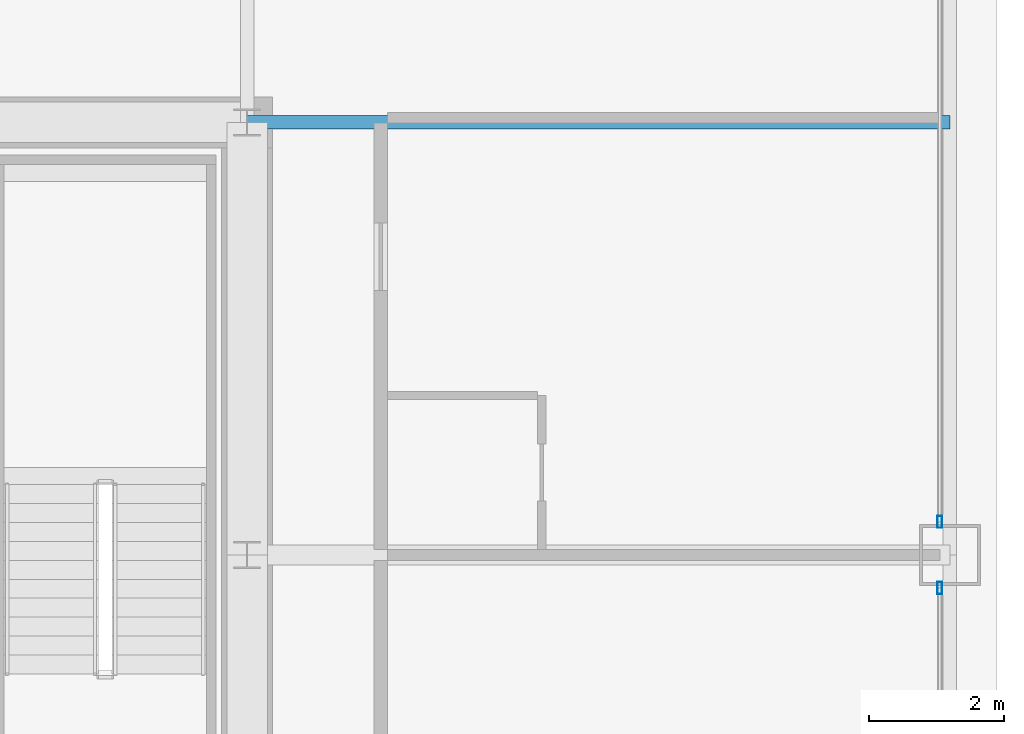
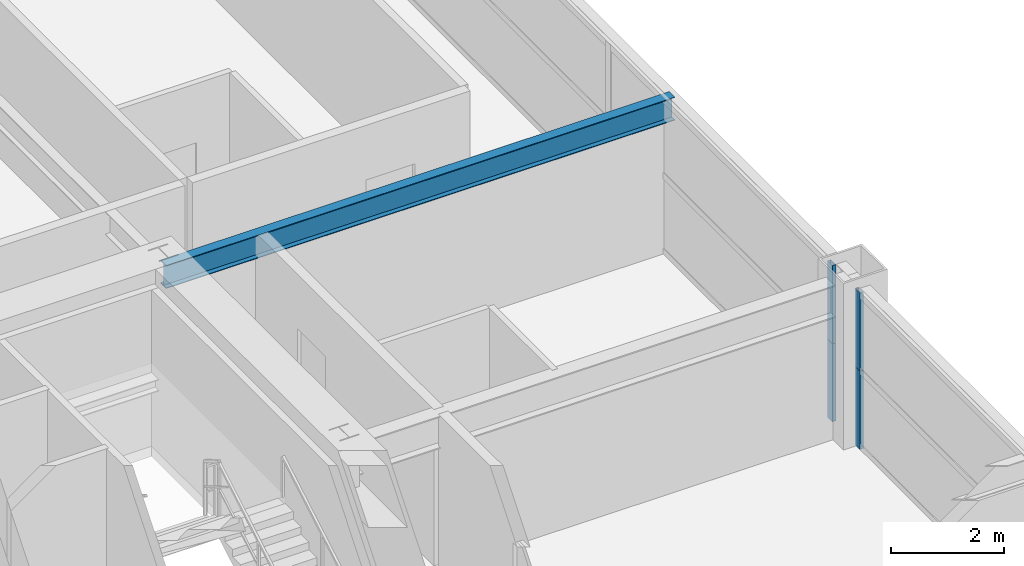
# One storey, part 21 of 41: 4 members, 1 beam, 2 elements without a shape of their own.
"""IFC4 building model written with IfcOpenShell, lengths in metres."""

from ifc_helpers import new_model, si_unit, direction, frame, origin, origin_2d, place, context, subcontext, project, spatial, hollow_rectangle, i_section, extrude, source, transform, mapped, material, layer, layer_set, material_profile, profile_set, type_object, element, aggregate, save


model = new_model("IFC4")

# Units and contexts
model_context = context("Model", 3, precision=1e-05, world=origin(), true_north=direction((0.0, 1.0)))
body_context = subcontext(model_context, "Body", "Model", "MODEL_VIEW")
ifc_project = project(units=[si_unit("LENGTHUNIT", "METRE"), si_unit("AREAUNIT", "SQUARE_METRE"), si_unit("VOLUMEUNIT", "CUBIC_METRE"), si_unit("PLANEANGLEUNIT", "RADIAN"), si_unit("MASSUNIT", "GRAM", prefix="KILO"), si_unit("THERMODYNAMICTEMPERATUREUNIT", "KELVIN"), si_unit("POWERUNIT", "WATT")], contexts=[model_context])

# Site, building, storey
site_placement = place(None, origin())
site = spatial("IfcSite", under=ifc_project, at=site_placement, CompositionType="ELEMENT")
building_placement = place(site_placement, origin())
building = spatial("IfcBuilding", under=site, at=building_placement, Name="Yuzanri Waterfront Tower", CompositionType="ELEMENT")
storey_placement = place(building_placement, frame((0.0, 0.0, 152.39990234375)))
storey = spatial("IfcBuildingStorey", under=building, at=storey_placement, Name="L40", CompositionType="ELEMENT", Elevation=152.39990234375)

# Beam
ifc_material_1 = material(Name="Steel Q355B", Category="steel")
ifc_material_profile_1 = material_profile(ifc_material_1, i_section(OverallWidth=0.199951171875, OverallDepth=0.5, WebThickness=0.010009765625, FlangeThickness=0.01611328125, at=origin_2d()), Name="HN 500x200x10x16")
ifc_profile_set_1 = profile_set([ifc_material_profile_1], Name="Steel Q355B")
beam_type = type_object("IfcBeamType", Name="Secondary Floor Beam Q355B HN 500x200", PredefinedType="BEAM", material=ifc_profile_set_1)
shared_shape_1 = source(origin(), body_context, "Body", "SweptSolid", [
    extrude(i_section(OverallWidth=0.199951171875, OverallDepth=0.5, WebThickness=0.010009765625, FlangeThickness=0.01611328125, at=origin_2d()), origin(), (0.0, 0.0, 1.0), 10.400146484375),
])
beam_placement = place(storey_placement, frame((50.199951171875, 32.199951171875, 3.130126953125), z_axis=(1.0, 0.0, 0.0), x_axis=(0.0, 1.0, 0.0)))
element("IfcBeam", 1, at=beam_placement, inside=storey, type_object=beam_type, Name="L40 East-North Core Line Beam", PredefinedType="BEAM", context=body_context, shape_type="MappedRepresentation", body=[
    mapped(shared_shape_1, transform((0.0, 0.0, 0.0), scale=1.0)),
])

# Curtain wall, members
ifc_material_2 = material(Name="Anodized Architectural Bronze", Category="metal")
ifc_layer = layer(ifc_material_2, 0.159912109375)
ifc_layer_set = layer_set([ifc_layer], Name="Anodized Architectural Bronze")
curtain_wall_type = type_object("IfcCurtainWallType", Name="Anodized Bronze Hotel Upper-Tier Solar-Control Unitized Curtain Wall 7800", PredefinedType="NOTDEFINED", material=ifc_layer_set)
curtain_wall_1_placement = place(storey_placement, origin())
curtain_wall_1 = element("IfcCurtainWall", 2, at=curtain_wall_1_placement, inside=storey, type_object=curtain_wall_type, Name="L40 Curtain Wall CW-L40-EL", PredefinedType="NOTDEFINED")
ifc_material_3 = material(Name="Anodized Architectural Bronze", Category="metal")
ifc_material_profile_2 = material_profile(ifc_material_3, hollow_rectangle(XDim=0.070068359375, YDim=0.179931640625, WallThickness=0.00390625, at=origin_2d()), Name="CWM 70x180")
ifc_profile_set_2 = profile_set([ifc_material_profile_2], Name="Anodized Architectural Bronze")
member_type = type_object("IfcMemberType", Name="Anodized Bronze Standard Curtain-Wall Mullion 70x180", PredefinedType="MULLION", material=ifc_profile_set_2)
shared_shape_2 = source(origin(), body_context, "Body", "SweptSolid", [
    extrude(hollow_rectangle(XDim=0.070068359375, YDim=0.179931640625, WallThickness=0.00390625, at=origin_2d()), origin(), (0.0, 0.0, 1.0), 1.68798828125),
])
member_1_placement = place(storey_placement, frame((60.449951171875, 25.31005859375, 0.0), z_axis=(0.0, 0.0, 1.0), x_axis=(1.0, 0.0, 0.0)))
member_1 = element("IfcMember", 3, at=member_1_placement, type_object=member_type, Name="CW-L40-EL Lower Mullion 02", PredefinedType="MULLION", context=body_context, shape_type="MappedRepresentation", body=[
    mapped(shared_shape_2, transform((0.0, 0.0, 0.0), scale=1.0)),
])
member_2_placement = place(storey_placement, frame((60.449951171875, 25.31005859375, 1.692138671875), z_axis=(0.0, 0.0, 1.0), x_axis=(1.0, 0.0, 0.0)))
member_2 = element("IfcMember", 4, at=member_2_placement, type_object=member_type, Name="CW-L40-EL Upper Mullion 02", PredefinedType="MULLION", context=body_context, shape_type="MappedRepresentation", body=[
    mapped(shared_shape_2, transform((0.0, 0.0, 0.0), scale=1.0)),
])
aggregate(curtain_wall_1, [member_1, member_2])

curtain_wall_2_placement = place(storey_placement, origin())
curtain_wall_2 = element("IfcCurtainWall", 5, at=curtain_wall_2_placement, inside=storey, type_object=curtain_wall_type, Name="L40 Curtain Wall CW-L40-ER", PredefinedType="NOTDEFINED")
member_3_placement = place(storey_placement, frame((60.449951171875, 26.2900390625, 0.0), z_axis=(0.0, 0.0, 1.0), x_axis=(1.0, 0.0, 0.0)))
member_3 = element("IfcMember", 6, at=member_3_placement, type_object=member_type, Name="CW-L40-ER Lower Mullion 00", PredefinedType="MULLION", context=body_context, shape_type="MappedRepresentation", body=[
    mapped(shared_shape_2, transform((0.0, 0.0, 0.0), scale=1.0)),
])
member_4_placement = place(storey_placement, frame((60.449951171875, 26.2900390625, 1.692138671875), z_axis=(0.0, 0.0, 1.0), x_axis=(1.0, 0.0, 0.0)))
member_4 = element("IfcMember", 7, at=member_4_placement, type_object=member_type, Name="CW-L40-ER Upper Mullion 00", PredefinedType="MULLION", context=body_context, shape_type="MappedRepresentation", body=[
    mapped(shared_shape_2, transform((0.0, 0.0, 0.0), scale=1.0)),
])
aggregate(curtain_wall_2, [member_3, member_4])

save(model, "model.ifc")
